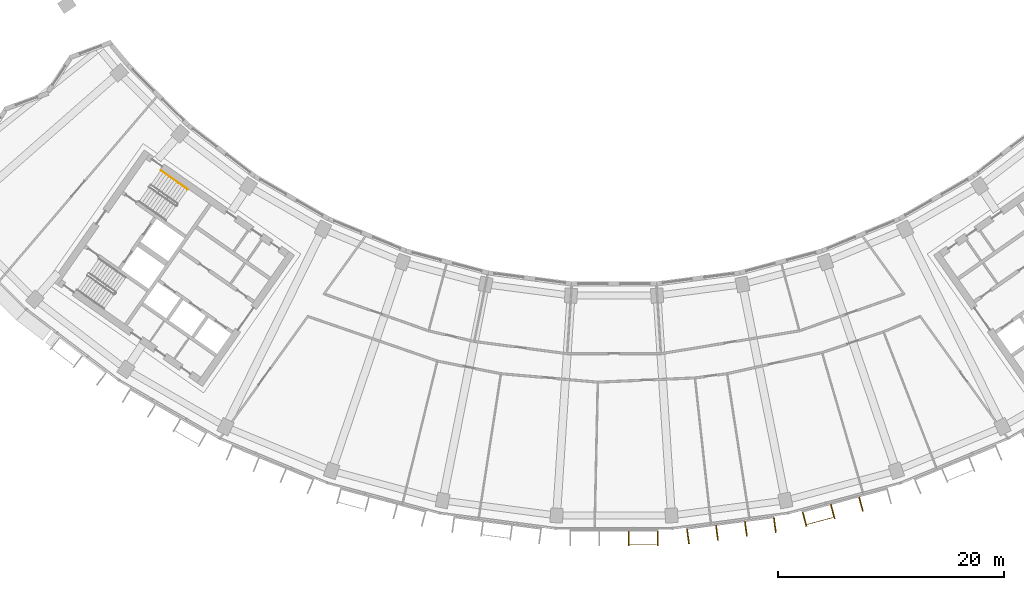
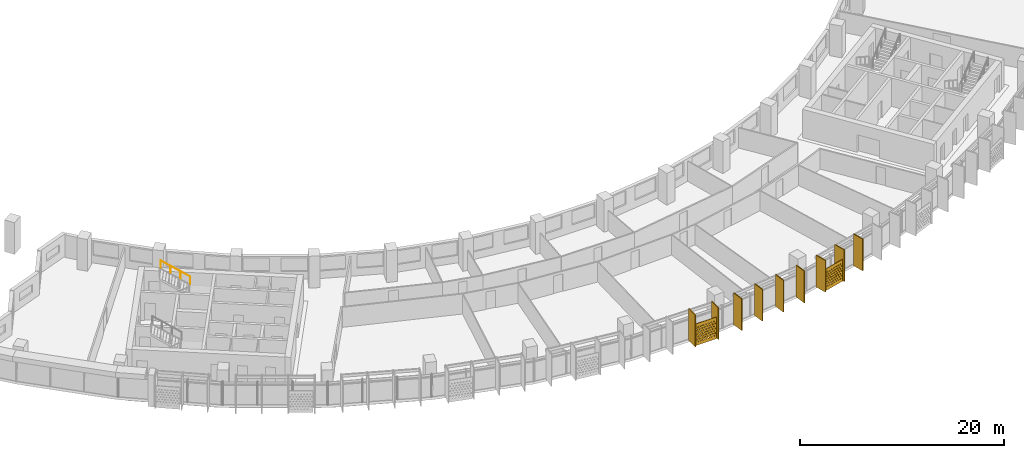
# One storey, part 24 of 27: 11 shading devices, 1 railing.
"""IFC4 building model written with IfcOpenShell, lengths in metres."""

from ifc_helpers import new_model, si_unit, direction, frame, origin, origin_2d, place, context, subcontext, project, spatial, polyline, rectangle, circle, outline, extrude, material, material_profile, profile_set, type_object, element, save


model = new_model("IFC4")

# Units and contexts
model_context = context("Model", 3, precision=1e-05, world=origin(), true_north=direction((0.0, 1.0)))
body_context = subcontext(model_context, "Body", "Model", "MODEL_VIEW")
ifc_project = project(units=[si_unit("LENGTHUNIT", "METRE"), si_unit("AREAUNIT", "SQUARE_METRE"), si_unit("VOLUMEUNIT", "CUBIC_METRE"), si_unit("PLANEANGLEUNIT", "RADIAN"), si_unit("MASSUNIT", "GRAM", prefix="KILO")], contexts=[model_context])

# Site, building, storey
site_placement = place(None, origin())
site = spatial("IfcSite", under=ifc_project, at=site_placement, CompositionType="ELEMENT")
building_placement = place(site_placement, origin())
building = spatial("IfcBuilding", under=site, at=building_placement, Name="Qamariyya Broadcast Tower", CompositionType="ELEMENT")
storey_placement = place(building_placement, frame((0.0, 0.0, 194.89990234375)))
storey = spatial("IfcBuildingStorey", under=building, at=storey_placement, Name="L46", CompositionType="ELEMENT", Elevation=194.89990234375)

# Shading devices
ifc_material_1 = material(Name="Perforated glazed terracotta", Category="masonry")
ifc_material_profile_1 = material_profile(ifc_material_1, outline(polyline([(-1.199951171875, -1.300048828125), (1.199951171875, -1.300048828125), (1.199951171875, 1.300048828125), (-1.199951171875, 1.300048828125), (-1.199951171875, -1.300048828125)]), holes=[polyline([(-0.81494140625, -0.86669921875), (-0.89990234375, -0.78173828125), (-0.985107421875, -0.86669921875), (-0.89990234375, -0.95166015625), (-0.81494140625, -0.86669921875)]), polyline([(-0.514892578125, -0.86669921875), (-0.60009765625, -0.78173828125), (-0.68505859375, -0.86669921875), (-0.60009765625, -0.95166015625), (-0.514892578125, -0.86669921875)]), polyline([(-0.215087890625, -0.86669921875), (-0.300048828125, -0.78173828125), (-0.385009765625, -0.86669921875), (-0.300048828125, -0.95166015625), (-0.215087890625, -0.86669921875)]), polyline([(0.0849609375, -0.86669921875), (0.0, -0.78173828125), (-0.0849609375, -0.86669921875), (0.0, -0.95166015625), (0.0849609375, -0.86669921875)]), polyline([(0.385009765625, -0.86669921875), (0.300048828125, -0.78173828125), (0.215087890625, -0.86669921875), (0.300048828125, -0.95166015625), (0.385009765625, -0.86669921875)]), polyline([(0.68505859375, -0.86669921875), (0.60009765625, -0.78173828125), (0.514892578125, -0.86669921875), (0.60009765625, -0.95166015625), (0.68505859375, -0.86669921875)]), polyline([(0.985107421875, -0.86669921875), (0.89990234375, -0.78173828125), (0.81494140625, -0.86669921875), (0.89990234375, -0.95166015625), (0.985107421875, -0.86669921875)]), polyline([(-0.965087890625, -0.577880859375), (-1.050048828125, -0.49267578125), (-1.135009765625, -0.577880859375), (-1.050048828125, -0.662841796875), (-0.965087890625, -0.577880859375)]), polyline([(-0.6650390625, -0.577880859375), (-0.75, -0.49267578125), (-0.8349609375, -0.577880859375), (-0.75, -0.662841796875), (-0.6650390625, -0.577880859375)]), polyline([(-0.364990234375, -0.577880859375), (-0.449951171875, -0.49267578125), (-0.534912109375, -0.577880859375), (-0.449951171875, -0.662841796875), (-0.364990234375, -0.577880859375)]), polyline([(-0.06494140625, -0.577880859375), (-0.14990234375, -0.49267578125), (-0.235107421875, -0.577880859375), (-0.14990234375, -0.662841796875), (-0.06494140625, -0.577880859375)]), polyline([(0.235107421875, -0.577880859375), (0.14990234375, -0.49267578125), (0.06494140625, -0.577880859375), (0.14990234375, -0.662841796875), (0.235107421875, -0.577880859375)]), polyline([(0.534912109375, -0.577880859375), (0.449951171875, -0.49267578125), (0.364990234375, -0.577880859375), (0.449951171875, -0.662841796875), (0.534912109375, -0.577880859375)]), polyline([(0.8349609375, -0.577880859375), (0.75, -0.49267578125), (0.6650390625, -0.577880859375), (0.75, -0.662841796875), (0.8349609375, -0.577880859375)]), polyline([(1.135009765625, -0.577880859375), (1.050048828125, -0.49267578125), (0.965087890625, -0.577880859375), (1.050048828125, -0.662841796875), (1.135009765625, -0.577880859375)]), polyline([(-0.81494140625, -0.288818359375), (-0.89990234375, -0.203857421875), (-0.985107421875, -0.288818359375), (-0.89990234375, -0.373779296875), (-0.81494140625, -0.288818359375)]), polyline([(-0.514892578125, -0.288818359375), (-0.60009765625, -0.203857421875), (-0.68505859375, -0.288818359375), (-0.60009765625, -0.373779296875), (-0.514892578125, -0.288818359375)]), polyline([(-0.215087890625, -0.288818359375), (-0.300048828125, -0.203857421875), (-0.385009765625, -0.288818359375), (-0.300048828125, -0.373779296875), (-0.215087890625, -0.288818359375)]), polyline([(0.0849609375, -0.288818359375), (0.0, -0.203857421875), (-0.0849609375, -0.288818359375), (0.0, -0.373779296875), (0.0849609375, -0.288818359375)]), polyline([(0.385009765625, -0.288818359375), (0.300048828125, -0.203857421875), (0.215087890625, -0.288818359375), (0.300048828125, -0.373779296875), (0.385009765625, -0.288818359375)]), polyline([(0.68505859375, -0.288818359375), (0.60009765625, -0.203857421875), (0.514892578125, -0.288818359375), (0.60009765625, -0.373779296875), (0.68505859375, -0.288818359375)]), polyline([(0.985107421875, -0.288818359375), (0.89990234375, -0.203857421875), (0.81494140625, -0.288818359375), (0.89990234375, -0.373779296875), (0.985107421875, -0.288818359375)]), polyline([(-0.965087890625, 0.0), (-1.050048828125, 0.0849609375), (-1.135009765625, 0.0), (-1.050048828125, -0.0849609375), (-0.965087890625, 0.0)]), polyline([(-0.6650390625, 0.0), (-0.75, 0.0849609375), (-0.8349609375, 0.0), (-0.75, -0.0849609375), (-0.6650390625, 0.0)]), polyline([(-0.364990234375, 0.0), (-0.449951171875, 0.0849609375), (-0.534912109375, 0.0), (-0.449951171875, -0.0849609375), (-0.364990234375, 0.0)]), polyline([(-0.06494140625, 0.0), (-0.14990234375, 0.0849609375), (-0.235107421875, 0.0), (-0.14990234375, -0.0849609375), (-0.06494140625, 0.0)]), polyline([(0.235107421875, 0.0), (0.14990234375, 0.0849609375), (0.06494140625, 0.0), (0.14990234375, -0.0849609375), (0.235107421875, 0.0)]), polyline([(0.534912109375, 0.0), (0.449951171875, 0.0849609375), (0.364990234375, 0.0), (0.449951171875, -0.0849609375), (0.534912109375, 0.0)]), polyline([(0.8349609375, 0.0), (0.75, 0.0849609375), (0.6650390625, 0.0), (0.75, -0.0849609375), (0.8349609375, 0.0)]), polyline([(1.135009765625, 0.0), (1.050048828125, 0.0849609375), (0.965087890625, 0.0), (1.050048828125, -0.0849609375), (1.135009765625, 0.0)]), polyline([(-0.81494140625, 0.288818359375), (-0.89990234375, 0.373779296875), (-0.985107421875, 0.288818359375), (-0.89990234375, 0.203857421875), (-0.81494140625, 0.288818359375)]), polyline([(-0.514892578125, 0.288818359375), (-0.60009765625, 0.373779296875), (-0.68505859375, 0.288818359375), (-0.60009765625, 0.203857421875), (-0.514892578125, 0.288818359375)]), polyline([(-0.215087890625, 0.288818359375), (-0.300048828125, 0.373779296875), (-0.385009765625, 0.288818359375), (-0.300048828125, 0.203857421875), (-0.215087890625, 0.288818359375)]), polyline([(0.0849609375, 0.288818359375), (0.0, 0.373779296875), (-0.0849609375, 0.288818359375), (0.0, 0.203857421875), (0.0849609375, 0.288818359375)]), polyline([(0.385009765625, 0.288818359375), (0.300048828125, 0.373779296875), (0.215087890625, 0.288818359375), (0.300048828125, 0.203857421875), (0.385009765625, 0.288818359375)]), polyline([(0.68505859375, 0.288818359375), (0.60009765625, 0.373779296875), (0.514892578125, 0.288818359375), (0.60009765625, 0.203857421875), (0.68505859375, 0.288818359375)]), polyline([(0.985107421875, 0.288818359375), (0.89990234375, 0.373779296875), (0.81494140625, 0.288818359375), (0.89990234375, 0.203857421875), (0.985107421875, 0.288818359375)]), polyline([(-0.965087890625, 0.577880859375), (-1.050048828125, 0.662841796875), (-1.135009765625, 0.577880859375), (-1.050048828125, 0.49267578125), (-0.965087890625, 0.577880859375)]), polyline([(-0.6650390625, 0.577880859375), (-0.75, 0.662841796875), (-0.8349609375, 0.577880859375), (-0.75, 0.49267578125), (-0.6650390625, 0.577880859375)]), polyline([(-0.364990234375, 0.577880859375), (-0.449951171875, 0.662841796875), (-0.534912109375, 0.577880859375), (-0.449951171875, 0.49267578125), (-0.364990234375, 0.577880859375)]), polyline([(-0.06494140625, 0.577880859375), (-0.14990234375, 0.662841796875), (-0.235107421875, 0.577880859375), (-0.14990234375, 0.49267578125), (-0.06494140625, 0.577880859375)]), polyline([(0.235107421875, 0.577880859375), (0.14990234375, 0.662841796875), (0.06494140625, 0.577880859375), (0.14990234375, 0.49267578125), (0.235107421875, 0.577880859375)]), polyline([(0.534912109375, 0.577880859375), (0.449951171875, 0.662841796875), (0.364990234375, 0.577880859375), (0.449951171875, 0.49267578125), (0.534912109375, 0.577880859375)]), polyline([(0.8349609375, 0.577880859375), (0.75, 0.662841796875), (0.6650390625, 0.577880859375), (0.75, 0.49267578125), (0.8349609375, 0.577880859375)]), polyline([(1.135009765625, 0.577880859375), (1.050048828125, 0.662841796875), (0.965087890625, 0.577880859375), (1.050048828125, 0.49267578125), (1.135009765625, 0.577880859375)]), polyline([(-0.81494140625, 0.86669921875), (-0.89990234375, 0.95166015625), (-0.985107421875, 0.86669921875), (-0.89990234375, 0.78173828125), (-0.81494140625, 0.86669921875)]), polyline([(-0.514892578125, 0.86669921875), (-0.60009765625, 0.95166015625), (-0.68505859375, 0.86669921875), (-0.60009765625, 0.78173828125), (-0.514892578125, 0.86669921875)]), polyline([(-0.215087890625, 0.86669921875), (-0.300048828125, 0.95166015625), (-0.385009765625, 0.86669921875), (-0.300048828125, 0.78173828125), (-0.215087890625, 0.86669921875)]), polyline([(0.0849609375, 0.86669921875), (0.0, 0.95166015625), (-0.0849609375, 0.86669921875), (0.0, 0.78173828125), (0.0849609375, 0.86669921875)]), polyline([(0.385009765625, 0.86669921875), (0.300048828125, 0.95166015625), (0.215087890625, 0.86669921875), (0.300048828125, 0.78173828125), (0.385009765625, 0.86669921875)]), polyline([(0.68505859375, 0.86669921875), (0.60009765625, 0.95166015625), (0.514892578125, 0.86669921875), (0.60009765625, 0.78173828125), (0.68505859375, 0.86669921875)]), polyline([(0.985107421875, 0.86669921875), (0.89990234375, 0.95166015625), (0.81494140625, 0.86669921875), (0.89990234375, 0.78173828125), (0.985107421875, 0.86669921875)])]))
ifc_profile_set_1 = profile_set([ifc_material_profile_1], Name="Perforated glazed terracotta")
shading_device_type_1 = type_object("IfcShadingDeviceType", Name="Perforated terracotta screen 2400 x 2600", PredefinedType="USERDEFINED", material=ifc_profile_set_1)
shading_device_1_placement = place(storey_placement, frame((2.541748046875, -80.100830078125, 1.35009765625), z_axis=(0.0, -1.0, 0.0), x_axis=(1.0, 0.0, 0.0)))
element("IfcShadingDevice", 1, at=shading_device_1_placement, inside=storey, type_object=shading_device_type_1, Name="e-scr-L46-07-2", ObjectType="SCREEN", PredefinedType="USERDEFINED", context=body_context, shape_type="SweptSolid", body=[
    extrude(outline(polyline([(-1.199951171875, -1.300048828125), (1.199951171875, -1.300048828125), (1.199951171875, 1.300048828125), (-1.199951171875, 1.300048828125), (-1.199951171875, -1.300048828125)]), holes=[polyline([(-0.81494140625, -0.86669921875), (-0.89990234375, -0.78173828125), (-0.985107421875, -0.86669921875), (-0.89990234375, -0.95166015625), (-0.81494140625, -0.86669921875)]), polyline([(-0.514892578125, -0.86669921875), (-0.60009765625, -0.78173828125), (-0.68505859375, -0.86669921875), (-0.60009765625, -0.95166015625), (-0.514892578125, -0.86669921875)]), polyline([(-0.215087890625, -0.86669921875), (-0.300048828125, -0.78173828125), (-0.385009765625, -0.86669921875), (-0.300048828125, -0.95166015625), (-0.215087890625, -0.86669921875)]), polyline([(0.0849609375, -0.86669921875), (0.0, -0.78173828125), (-0.0849609375, -0.86669921875), (0.0, -0.95166015625), (0.0849609375, -0.86669921875)]), polyline([(0.385009765625, -0.86669921875), (0.300048828125, -0.78173828125), (0.215087890625, -0.86669921875), (0.300048828125, -0.95166015625), (0.385009765625, -0.86669921875)]), polyline([(0.68505859375, -0.86669921875), (0.60009765625, -0.78173828125), (0.514892578125, -0.86669921875), (0.60009765625, -0.95166015625), (0.68505859375, -0.86669921875)]), polyline([(0.985107421875, -0.86669921875), (0.89990234375, -0.78173828125), (0.81494140625, -0.86669921875), (0.89990234375, -0.95166015625), (0.985107421875, -0.86669921875)]), polyline([(-0.965087890625, -0.577880859375), (-1.050048828125, -0.49267578125), (-1.135009765625, -0.577880859375), (-1.050048828125, -0.662841796875), (-0.965087890625, -0.577880859375)]), polyline([(-0.6650390625, -0.577880859375), (-0.75, -0.49267578125), (-0.8349609375, -0.577880859375), (-0.75, -0.662841796875), (-0.6650390625, -0.577880859375)]), polyline([(-0.364990234375, -0.577880859375), (-0.449951171875, -0.49267578125), (-0.534912109375, -0.577880859375), (-0.449951171875, -0.662841796875), (-0.364990234375, -0.577880859375)]), polyline([(-0.06494140625, -0.577880859375), (-0.14990234375, -0.49267578125), (-0.235107421875, -0.577880859375), (-0.14990234375, -0.662841796875), (-0.06494140625, -0.577880859375)]), polyline([(0.235107421875, -0.577880859375), (0.14990234375, -0.49267578125), (0.06494140625, -0.577880859375), (0.14990234375, -0.662841796875), (0.235107421875, -0.577880859375)]), polyline([(0.534912109375, -0.577880859375), (0.449951171875, -0.49267578125), (0.364990234375, -0.577880859375), (0.449951171875, -0.662841796875), (0.534912109375, -0.577880859375)]), polyline([(0.8349609375, -0.577880859375), (0.75, -0.49267578125), (0.6650390625, -0.577880859375), (0.75, -0.662841796875), (0.8349609375, -0.577880859375)]), polyline([(1.135009765625, -0.577880859375), (1.050048828125, -0.49267578125), (0.965087890625, -0.577880859375), (1.050048828125, -0.662841796875), (1.135009765625, -0.577880859375)]), polyline([(-0.81494140625, -0.288818359375), (-0.89990234375, -0.203857421875), (-0.985107421875, -0.288818359375), (-0.89990234375, -0.373779296875), (-0.81494140625, -0.288818359375)]), polyline([(-0.514892578125, -0.288818359375), (-0.60009765625, -0.203857421875), (-0.68505859375, -0.288818359375), (-0.60009765625, -0.373779296875), (-0.514892578125, -0.288818359375)]), polyline([(-0.215087890625, -0.288818359375), (-0.300048828125, -0.203857421875), (-0.385009765625, -0.288818359375), (-0.300048828125, -0.373779296875), (-0.215087890625, -0.288818359375)]), polyline([(0.0849609375, -0.288818359375), (0.0, -0.203857421875), (-0.0849609375, -0.288818359375), (0.0, -0.373779296875), (0.0849609375, -0.288818359375)]), polyline([(0.385009765625, -0.288818359375), (0.300048828125, -0.203857421875), (0.215087890625, -0.288818359375), (0.300048828125, -0.373779296875), (0.385009765625, -0.288818359375)]), polyline([(0.68505859375, -0.288818359375), (0.60009765625, -0.203857421875), (0.514892578125, -0.288818359375), (0.60009765625, -0.373779296875), (0.68505859375, -0.288818359375)]), polyline([(0.985107421875, -0.288818359375), (0.89990234375, -0.203857421875), (0.81494140625, -0.288818359375), (0.89990234375, -0.373779296875), (0.985107421875, -0.288818359375)]), polyline([(-0.965087890625, 0.0), (-1.050048828125, 0.0849609375), (-1.135009765625, 0.0), (-1.050048828125, -0.0849609375), (-0.965087890625, 0.0)]), polyline([(-0.6650390625, 0.0), (-0.75, 0.0849609375), (-0.8349609375, 0.0), (-0.75, -0.0849609375), (-0.6650390625, 0.0)]), polyline([(-0.364990234375, 0.0), (-0.449951171875, 0.0849609375), (-0.534912109375, 0.0), (-0.449951171875, -0.0849609375), (-0.364990234375, 0.0)]), polyline([(-0.06494140625, 0.0), (-0.14990234375, 0.0849609375), (-0.235107421875, 0.0), (-0.14990234375, -0.0849609375), (-0.06494140625, 0.0)]), polyline([(0.235107421875, 0.0), (0.14990234375, 0.0849609375), (0.06494140625, 0.0), (0.14990234375, -0.0849609375), (0.235107421875, 0.0)]), polyline([(0.534912109375, 0.0), (0.449951171875, 0.0849609375), (0.364990234375, 0.0), (0.449951171875, -0.0849609375), (0.534912109375, 0.0)]), polyline([(0.8349609375, 0.0), (0.75, 0.0849609375), (0.6650390625, 0.0), (0.75, -0.0849609375), (0.8349609375, 0.0)]), polyline([(1.135009765625, 0.0), (1.050048828125, 0.0849609375), (0.965087890625, 0.0), (1.050048828125, -0.0849609375), (1.135009765625, 0.0)]), polyline([(-0.81494140625, 0.288818359375), (-0.89990234375, 0.373779296875), (-0.985107421875, 0.288818359375), (-0.89990234375, 0.203857421875), (-0.81494140625, 0.288818359375)]), polyline([(-0.514892578125, 0.288818359375), (-0.60009765625, 0.373779296875), (-0.68505859375, 0.288818359375), (-0.60009765625, 0.203857421875), (-0.514892578125, 0.288818359375)]), polyline([(-0.215087890625, 0.288818359375), (-0.300048828125, 0.373779296875), (-0.385009765625, 0.288818359375), (-0.300048828125, 0.203857421875), (-0.215087890625, 0.288818359375)]), polyline([(0.0849609375, 0.288818359375), (0.0, 0.373779296875), (-0.0849609375, 0.288818359375), (0.0, 0.203857421875), (0.0849609375, 0.288818359375)]), polyline([(0.385009765625, 0.288818359375), (0.300048828125, 0.373779296875), (0.215087890625, 0.288818359375), (0.300048828125, 0.203857421875), (0.385009765625, 0.288818359375)]), polyline([(0.68505859375, 0.288818359375), (0.60009765625, 0.373779296875), (0.514892578125, 0.288818359375), (0.60009765625, 0.203857421875), (0.68505859375, 0.288818359375)]), polyline([(0.985107421875, 0.288818359375), (0.89990234375, 0.373779296875), (0.81494140625, 0.288818359375), (0.89990234375, 0.203857421875), (0.985107421875, 0.288818359375)]), polyline([(-0.965087890625, 0.577880859375), (-1.050048828125, 0.662841796875), (-1.135009765625, 0.577880859375), (-1.050048828125, 0.49267578125), (-0.965087890625, 0.577880859375)]), polyline([(-0.6650390625, 0.577880859375), (-0.75, 0.662841796875), (-0.8349609375, 0.577880859375), (-0.75, 0.49267578125), (-0.6650390625, 0.577880859375)]), polyline([(-0.364990234375, 0.577880859375), (-0.449951171875, 0.662841796875), (-0.534912109375, 0.577880859375), (-0.449951171875, 0.49267578125), (-0.364990234375, 0.577880859375)]), polyline([(-0.06494140625, 0.577880859375), (-0.14990234375, 0.662841796875), (-0.235107421875, 0.577880859375), (-0.14990234375, 0.49267578125), (-0.06494140625, 0.577880859375)]), polyline([(0.235107421875, 0.577880859375), (0.14990234375, 0.662841796875), (0.06494140625, 0.577880859375), (0.14990234375, 0.49267578125), (0.235107421875, 0.577880859375)]), polyline([(0.534912109375, 0.577880859375), (0.449951171875, 0.662841796875), (0.364990234375, 0.577880859375), (0.449951171875, 0.49267578125), (0.534912109375, 0.577880859375)]), polyline([(0.8349609375, 0.577880859375), (0.75, 0.662841796875), (0.6650390625, 0.577880859375), (0.75, 0.49267578125), (0.8349609375, 0.577880859375)]), polyline([(1.135009765625, 0.577880859375), (1.050048828125, 0.662841796875), (0.965087890625, 0.577880859375), (1.050048828125, 0.49267578125), (1.135009765625, 0.577880859375)]), polyline([(-0.81494140625, 0.86669921875), (-0.89990234375, 0.95166015625), (-0.985107421875, 0.86669921875), (-0.89990234375, 0.78173828125), (-0.81494140625, 0.86669921875)]), polyline([(-0.514892578125, 0.86669921875), (-0.60009765625, 0.95166015625), (-0.68505859375, 0.86669921875), (-0.60009765625, 0.78173828125), (-0.514892578125, 0.86669921875)]), polyline([(-0.215087890625, 0.86669921875), (-0.300048828125, 0.95166015625), (-0.385009765625, 0.86669921875), (-0.300048828125, 0.78173828125), (-0.215087890625, 0.86669921875)]), polyline([(0.0849609375, 0.86669921875), (0.0, 0.95166015625), (-0.0849609375, 0.86669921875), (0.0, 0.78173828125), (0.0849609375, 0.86669921875)]), polyline([(0.385009765625, 0.86669921875), (0.300048828125, 0.95166015625), (0.215087890625, 0.86669921875), (0.300048828125, 0.78173828125), (0.385009765625, 0.86669921875)]), polyline([(0.68505859375, 0.86669921875), (0.60009765625, 0.95166015625), (0.514892578125, 0.86669921875), (0.60009765625, 0.78173828125), (0.68505859375, 0.86669921875)]), polyline([(0.985107421875, 0.86669921875), (0.89990234375, 0.95166015625), (0.81494140625, 0.86669921875), (0.89990234375, 0.78173828125), (0.985107421875, 0.86669921875)])]), origin(), (0.0, 0.0, 1.0), 0.06005859375),
])
shading_device_2_placement = place(storey_placement, frame((18.196044921875, -78.051025390625, 1.35009765625), z_axis=(0.256901156343, -0.966437683387, 0.0), x_axis=(0.966437683387, 0.256901156343, 0.0)))
element("IfcShadingDevice", 2, at=shading_device_2_placement, inside=storey, type_object=shading_device_type_1, Name="e-scr-L46-09-0", ObjectType="SCREEN", PredefinedType="USERDEFINED", context=body_context, shape_type="SweptSolid", body=[
    extrude(outline(polyline([(-1.199951171875, -1.300048828125), (1.199951171875, -1.300048828125), (1.199951171875, 1.300048828125), (-1.199951171875, 1.300048828125), (-1.199951171875, -1.300048828125)]), holes=[polyline([(-0.81494140625, -0.86669921875), (-0.89990234375, -0.78173828125), (-0.985107421875, -0.86669921875), (-0.89990234375, -0.95166015625), (-0.81494140625, -0.86669921875)]), polyline([(-0.514892578125, -0.86669921875), (-0.60009765625, -0.78173828125), (-0.68505859375, -0.86669921875), (-0.60009765625, -0.95166015625), (-0.514892578125, -0.86669921875)]), polyline([(-0.215087890625, -0.86669921875), (-0.300048828125, -0.78173828125), (-0.385009765625, -0.86669921875), (-0.300048828125, -0.95166015625), (-0.215087890625, -0.86669921875)]), polyline([(0.0849609375, -0.86669921875), (0.0, -0.78173828125), (-0.0849609375, -0.86669921875), (0.0, -0.95166015625), (0.0849609375, -0.86669921875)]), polyline([(0.385009765625, -0.86669921875), (0.300048828125, -0.78173828125), (0.215087890625, -0.86669921875), (0.300048828125, -0.95166015625), (0.385009765625, -0.86669921875)]), polyline([(0.68505859375, -0.86669921875), (0.60009765625, -0.78173828125), (0.514892578125, -0.86669921875), (0.60009765625, -0.95166015625), (0.68505859375, -0.86669921875)]), polyline([(0.985107421875, -0.86669921875), (0.89990234375, -0.78173828125), (0.81494140625, -0.86669921875), (0.89990234375, -0.95166015625), (0.985107421875, -0.86669921875)]), polyline([(-0.965087890625, -0.577880859375), (-1.050048828125, -0.49267578125), (-1.135009765625, -0.577880859375), (-1.050048828125, -0.662841796875), (-0.965087890625, -0.577880859375)]), polyline([(-0.6650390625, -0.577880859375), (-0.75, -0.49267578125), (-0.8349609375, -0.577880859375), (-0.75, -0.662841796875), (-0.6650390625, -0.577880859375)]), polyline([(-0.364990234375, -0.577880859375), (-0.449951171875, -0.49267578125), (-0.534912109375, -0.577880859375), (-0.449951171875, -0.662841796875), (-0.364990234375, -0.577880859375)]), polyline([(-0.06494140625, -0.577880859375), (-0.14990234375, -0.49267578125), (-0.235107421875, -0.577880859375), (-0.14990234375, -0.662841796875), (-0.06494140625, -0.577880859375)]), polyline([(0.235107421875, -0.577880859375), (0.14990234375, -0.49267578125), (0.06494140625, -0.577880859375), (0.14990234375, -0.662841796875), (0.235107421875, -0.577880859375)]), polyline([(0.534912109375, -0.577880859375), (0.449951171875, -0.49267578125), (0.364990234375, -0.577880859375), (0.449951171875, -0.662841796875), (0.534912109375, -0.577880859375)]), polyline([(0.8349609375, -0.577880859375), (0.75, -0.49267578125), (0.6650390625, -0.577880859375), (0.75, -0.662841796875), (0.8349609375, -0.577880859375)]), polyline([(1.135009765625, -0.577880859375), (1.050048828125, -0.49267578125), (0.965087890625, -0.577880859375), (1.050048828125, -0.662841796875), (1.135009765625, -0.577880859375)]), polyline([(-0.81494140625, -0.288818359375), (-0.89990234375, -0.203857421875), (-0.985107421875, -0.288818359375), (-0.89990234375, -0.373779296875), (-0.81494140625, -0.288818359375)]), polyline([(-0.514892578125, -0.288818359375), (-0.60009765625, -0.203857421875), (-0.68505859375, -0.288818359375), (-0.60009765625, -0.373779296875), (-0.514892578125, -0.288818359375)]), polyline([(-0.215087890625, -0.288818359375), (-0.300048828125, -0.203857421875), (-0.385009765625, -0.288818359375), (-0.300048828125, -0.373779296875), (-0.215087890625, -0.288818359375)]), polyline([(0.0849609375, -0.288818359375), (0.0, -0.203857421875), (-0.0849609375, -0.288818359375), (0.0, -0.373779296875), (0.0849609375, -0.288818359375)]), polyline([(0.385009765625, -0.288818359375), (0.300048828125, -0.203857421875), (0.215087890625, -0.288818359375), (0.300048828125, -0.373779296875), (0.385009765625, -0.288818359375)]), polyline([(0.68505859375, -0.288818359375), (0.60009765625, -0.203857421875), (0.514892578125, -0.288818359375), (0.60009765625, -0.373779296875), (0.68505859375, -0.288818359375)]), polyline([(0.985107421875, -0.288818359375), (0.89990234375, -0.203857421875), (0.81494140625, -0.288818359375), (0.89990234375, -0.373779296875), (0.985107421875, -0.288818359375)]), polyline([(-0.965087890625, 0.0), (-1.050048828125, 0.0849609375), (-1.135009765625, 0.0), (-1.050048828125, -0.0849609375), (-0.965087890625, 0.0)]), polyline([(-0.6650390625, 0.0), (-0.75, 0.0849609375), (-0.8349609375, 0.0), (-0.75, -0.0849609375), (-0.6650390625, 0.0)]), polyline([(-0.364990234375, 0.0), (-0.449951171875, 0.0849609375), (-0.534912109375, 0.0), (-0.449951171875, -0.0849609375), (-0.364990234375, 0.0)]), polyline([(-0.06494140625, 0.0), (-0.14990234375, 0.0849609375), (-0.235107421875, 0.0), (-0.14990234375, -0.0849609375), (-0.06494140625, 0.0)]), polyline([(0.235107421875, 0.0), (0.14990234375, 0.0849609375), (0.06494140625, 0.0), (0.14990234375, -0.0849609375), (0.235107421875, 0.0)]), polyline([(0.534912109375, 0.0), (0.449951171875, 0.0849609375), (0.364990234375, 0.0), (0.449951171875, -0.0849609375), (0.534912109375, 0.0)]), polyline([(0.8349609375, 0.0), (0.75, 0.0849609375), (0.6650390625, 0.0), (0.75, -0.0849609375), (0.8349609375, 0.0)]), polyline([(1.135009765625, 0.0), (1.050048828125, 0.0849609375), (0.965087890625, 0.0), (1.050048828125, -0.0849609375), (1.135009765625, 0.0)]), polyline([(-0.81494140625, 0.288818359375), (-0.89990234375, 0.373779296875), (-0.985107421875, 0.288818359375), (-0.89990234375, 0.203857421875), (-0.81494140625, 0.288818359375)]), polyline([(-0.514892578125, 0.288818359375), (-0.60009765625, 0.373779296875), (-0.68505859375, 0.288818359375), (-0.60009765625, 0.203857421875), (-0.514892578125, 0.288818359375)]), polyline([(-0.215087890625, 0.288818359375), (-0.300048828125, 0.373779296875), (-0.385009765625, 0.288818359375), (-0.300048828125, 0.203857421875), (-0.215087890625, 0.288818359375)]), polyline([(0.0849609375, 0.288818359375), (0.0, 0.373779296875), (-0.0849609375, 0.288818359375), (0.0, 0.203857421875), (0.0849609375, 0.288818359375)]), polyline([(0.385009765625, 0.288818359375), (0.300048828125, 0.373779296875), (0.215087890625, 0.288818359375), (0.300048828125, 0.203857421875), (0.385009765625, 0.288818359375)]), polyline([(0.68505859375, 0.288818359375), (0.60009765625, 0.373779296875), (0.514892578125, 0.288818359375), (0.60009765625, 0.203857421875), (0.68505859375, 0.288818359375)]), polyline([(0.985107421875, 0.288818359375), (0.89990234375, 0.373779296875), (0.81494140625, 0.288818359375), (0.89990234375, 0.203857421875), (0.985107421875, 0.288818359375)]), polyline([(-0.965087890625, 0.577880859375), (-1.050048828125, 0.662841796875), (-1.135009765625, 0.577880859375), (-1.050048828125, 0.49267578125), (-0.965087890625, 0.577880859375)]), polyline([(-0.6650390625, 0.577880859375), (-0.75, 0.662841796875), (-0.8349609375, 0.577880859375), (-0.75, 0.49267578125), (-0.6650390625, 0.577880859375)]), polyline([(-0.364990234375, 0.577880859375), (-0.449951171875, 0.662841796875), (-0.534912109375, 0.577880859375), (-0.449951171875, 0.49267578125), (-0.364990234375, 0.577880859375)]), polyline([(-0.06494140625, 0.577880859375), (-0.14990234375, 0.662841796875), (-0.235107421875, 0.577880859375), (-0.14990234375, 0.49267578125), (-0.06494140625, 0.577880859375)]), polyline([(0.235107421875, 0.577880859375), (0.14990234375, 0.662841796875), (0.06494140625, 0.577880859375), (0.14990234375, 0.49267578125), (0.235107421875, 0.577880859375)]), polyline([(0.534912109375, 0.577880859375), (0.449951171875, 0.662841796875), (0.364990234375, 0.577880859375), (0.449951171875, 0.49267578125), (0.534912109375, 0.577880859375)]), polyline([(0.8349609375, 0.577880859375), (0.75, 0.662841796875), (0.6650390625, 0.577880859375), (0.75, 0.49267578125), (0.8349609375, 0.577880859375)]), polyline([(1.135009765625, 0.577880859375), (1.050048828125, 0.662841796875), (0.965087890625, 0.577880859375), (1.050048828125, 0.49267578125), (1.135009765625, 0.577880859375)]), polyline([(-0.81494140625, 0.86669921875), (-0.89990234375, 0.95166015625), (-0.985107421875, 0.86669921875), (-0.89990234375, 0.78173828125), (-0.81494140625, 0.86669921875)]), polyline([(-0.514892578125, 0.86669921875), (-0.60009765625, 0.95166015625), (-0.68505859375, 0.86669921875), (-0.60009765625, 0.78173828125), (-0.514892578125, 0.86669921875)]), polyline([(-0.215087890625, 0.86669921875), (-0.300048828125, 0.95166015625), (-0.385009765625, 0.86669921875), (-0.300048828125, 0.78173828125), (-0.215087890625, 0.86669921875)]), polyline([(0.0849609375, 0.86669921875), (0.0, 0.95166015625), (-0.0849609375, 0.86669921875), (0.0, 0.78173828125), (0.0849609375, 0.86669921875)]), polyline([(0.385009765625, 0.86669921875), (0.300048828125, 0.95166015625), (0.215087890625, 0.86669921875), (0.300048828125, 0.78173828125), (0.385009765625, 0.86669921875)]), polyline([(0.68505859375, 0.86669921875), (0.60009765625, 0.95166015625), (0.514892578125, 0.86669921875), (0.60009765625, 0.78173828125), (0.68505859375, 0.86669921875)]), polyline([(0.985107421875, 0.86669921875), (0.89990234375, 0.95166015625), (0.81494140625, 0.86669921875), (0.89990234375, 0.78173828125), (0.985107421875, 0.86669921875)])]), origin(), (0.0, 0.0, 1.0), 0.059814453125),
])

# Railing
ifc_material_2 = material(Name="Stainless steel", Category="steel")
railing_type = type_object("IfcRailingType", Name="Stair handrail", PredefinedType="HANDRAIL", material=ifc_material_2)
railing_placement = place(storey_placement, frame((-37.73876953125, -48.7138671875, 2.07275390625)))
element("IfcRailing", 3, at=railing_placement, inside=storey, type_object=railing_type, Name="L46 ST-W2 stair handrail 2", PredefinedType="HANDRAIL", context=body_context, shape_type="SweptSolid", body=[
    extrude(circle(Radius=0.02392578125, at=origin_2d()), frame((0.0, 0.0, 0.8759765625), z_axis=(-0.703745009021, 0.492838488332, 0.511715923826), x_axis=(-0.573631830683, -0.819113253969, 0.0)), (0.0, 0.0, 1.0), 3.37548828125),
    extrude(circle(Radius=0.02099609375, at=origin_2d()), origin(), (0.0, 0.0, 1.0), 0.851806640625),
    extrude(circle(Radius=0.02099609375, at=origin_2d()), frame((-0.791748046875, 0.554443359375, 0.57568359375)), (0.0, 0.0, 1.0), 0.851806640625),
    extrude(circle(Radius=0.02099609375, at=origin_2d()), frame((-1.583740234375, 1.109130859375, 1.151611328125)), (0.0, 0.0, 1.0), 0.851806640625),
    extrude(circle(Radius=0.02099609375, at=origin_2d()), frame((-2.37548828125, 1.66357421875, 1.727294921875)), (0.0, 0.0, 1.0), 0.851806640625),
])

# Shading devices
ifc_material_3 = material(Name="Glazed terracotta", Category="masonry")
ifc_material_profile_2 = material_profile(ifc_material_3, rectangle(XDim=1.300048828125, YDim=0.10009765625, at=origin_2d()))
ifc_profile_set_2 = profile_set([ifc_material_profile_2], Name="Glazed terracotta")
shading_device_type_2 = type_object("IfcShadingDeviceType", Name="Terracotta fin 100 x 1300", PredefinedType="USERDEFINED", material=ifc_profile_set_2)
for number, where, z_axis, x_axis, name in (
    (4, (1.291748046875, -79.630859375, 0.0), (0.0, 0.0, 1.0), (0.0, -1.0, 0.0), "e-fin-L46-07-2"),
    (5, (3.875244140625, -79.630859375, 0.0), (0.0, 0.0, 1.0), (0.0, -1.0, 0.0), "e-fin-L46-07-3"),
    (6, (6.552001953125, -79.455322265625, 0.0), (0.0, 0.0, 1.0), (0.13052619222, -0.991444861374, 0.0), "e-fin-L46-08-0"),
    (7, (9.11328125, -79.1181640625, 0.0), (0.0, 0.0, 1.0), (0.13052619222, -0.991444861374, 0.0), "e-fin-L46-08-1"),
    (8, (11.674560546875, -78.781005859375, 0.0), (0.0, 0.0, 1.0), (0.13052619222, -0.991444861374, 0.0), "e-fin-L46-08-2"),
    (9, (14.23583984375, -78.44384765625, 0.0), (0.0, 0.0, 1.0), (0.13052619222, -0.991444861374, 0.0), "e-fin-L46-08-3"),
    (10, (16.866943359375, -77.92041015625, 0.0), (0.0, 0.0, 1.0), (0.258819045103, -0.965925826289, 0.0), "e-fin-L46-09-0"),
    (11, (19.3623046875, -77.251708984375, 0.0), (0.0, 0.0, 1.0), (0.258819045103, -0.965925826289, 0.0), "e-fin-L46-09-1"),
    (12, (21.857666015625, -76.583251953125, 0.0), (0.0, 0.0, 1.0), (0.258819045103, -0.965925826289, 0.0), "e-fin-L46-09-2"),
):
    element("IfcShadingDevice", number, at=place(storey_placement, frame(where, z_axis=z_axis, x_axis=x_axis)), inside=storey, type_object=shading_device_type_2, Name=name, ObjectType="FIN", PredefinedType="USERDEFINED", context=body_context, shape_type="SweptSolid", body=[
        extrude(rectangle(XDim=1.300048828125, YDim=0.10009765625, at=origin_2d()), origin(), (0.0, 0.0, 1.0), 3.800048828125),
    ])

save(model, "model.ifc")
